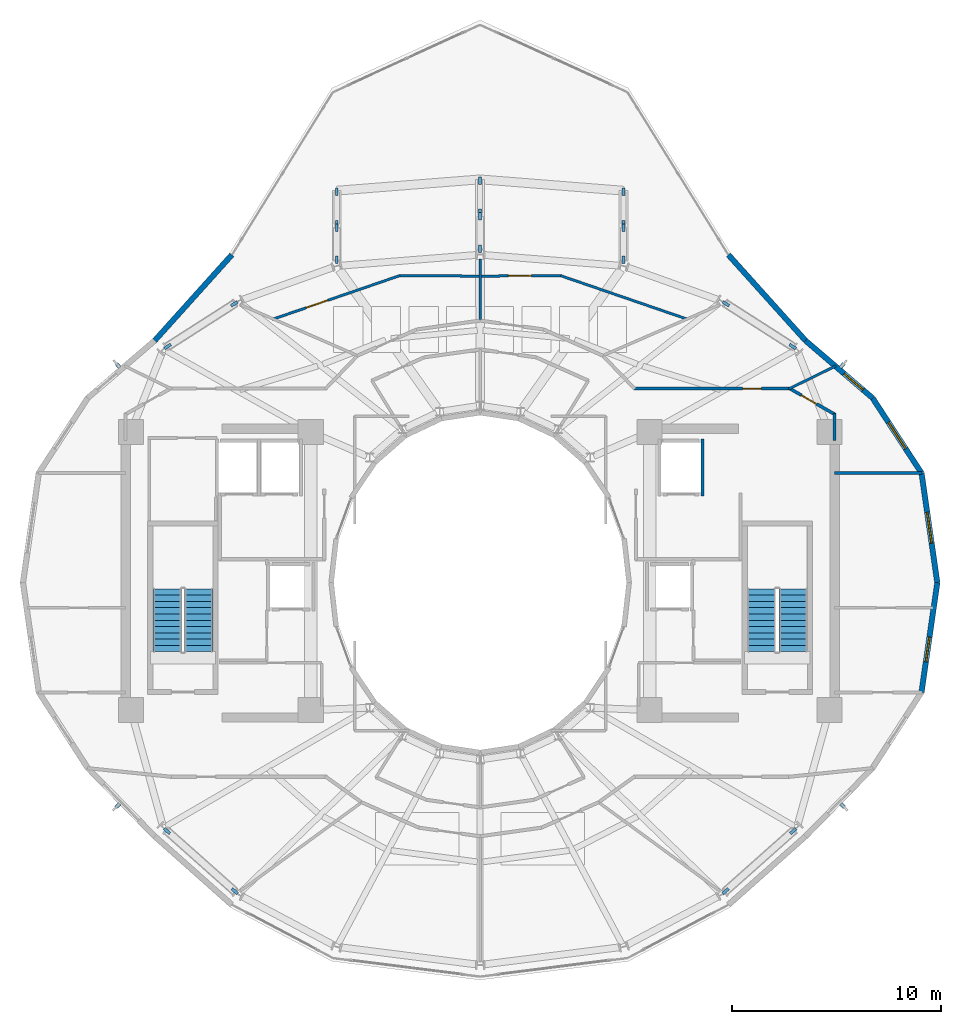
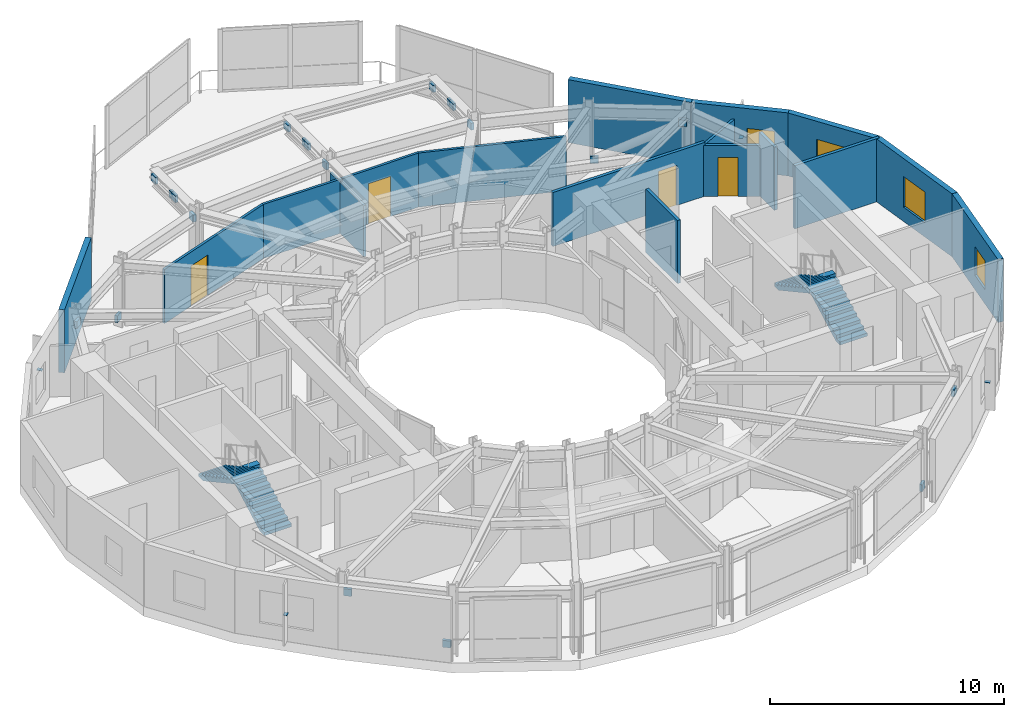
# One storey, part 21 of 25: 24 discrete accessories, 17 walls, 4 doors, 4 stair flights, 4 windows, 8 openings, 2 elements without a shape of their own.
"""IFC4 building model written with IfcOpenShell, lengths in metres."""

import ifcopenshell
import ifcopenshell.guid

model = None  # the IFC model being written
_history = None  # IfcOwnerHistory: only IFC2X3 demands one
_inside = {}  # id of a spatial element -> (the spatial element, [elements in it])
_under = {}  # id of a project, library or spatial element -> (it, [spatial elements below it])
_declared = {}  # id of a project -> (the project, [libraries it declares])
_typed = {}  # id of a type object -> (the type object, [elements of that type])
_made_of = {}  # id of a material, layer set ... -> (it, [elements and type objects made of it])


def new_model(schema):
    """Start an empty IFC model of exactly this schema.

    Asked for "IFC4X3", IfcOpenShell would pick the latest addendum, in which some entities
    have other attributes; the version numbers below select the first issue.
    IFC2X3 requires an IfcOwnerHistory on every rooted entity: one is made here for all.
    """
    global model, _history
    if schema == "IFC4X3":
        model = ifcopenshell.file(schema_version=(4, 3, 0, 0))
    else:
        model = ifcopenshell.file(schema=schema)
    _inside.clear()
    _under.clear()
    _declared.clear()
    _typed.clear()
    _made_of.clear()
    _history = None
    if model.schema == "IFC2X3":
        org = make("IfcOrganization", Name="unknown")
        user = make(
            "IfcPersonAndOrganization",
            ThePerson=make("IfcPerson", FamilyName="unknown"),
            TheOrganization=org,
        )
        app = make(
            "IfcApplication",
            ApplicationDeveloper=org,
            Version="unknown",
            ApplicationFullName="unknown",
            ApplicationIdentifier="unknown",
        )
        _history = make(
            "IfcOwnerHistory",
            OwningUser=user,
            OwningApplication=app,
            ChangeAction="ADDED",
            CreationDate=0,
        )
    return model


def make(cls, **values):
    """One entity of the class cls with the attributes given. An attribute that is None is left unset."""
    return model.create_entity(
        cls, **{name: value for name, value in values.items() if value is not None}
    )


def rooted(cls, **values):
    """An entity with a GlobalId (a new one), such as an element, a storey or a relation."""
    return make(cls, GlobalId=ifcopenshell.guid.new(), OwnerHistory=_history, **values)


def si_unit(unit_type, name, prefix=None):
    """IfcSIUnit, for example si_unit("LENGTHUNIT", "METRE", prefix="MILLI")."""
    return make("IfcSIUnit", UnitType=unit_type, Prefix=prefix, Name=name)


def assignment(units):
    """IfcUnitAssignment: the units of a project."""
    return None if units is None else make("IfcUnitAssignment", Units=units)


def point(xyz):
    """IfcCartesianPoint."""
    return None if xyz is None else make("IfcCartesianPoint", Coordinates=xyz)


def direction(xyz):
    """IfcDirection."""
    return None if xyz is None else make("IfcDirection", DirectionRatios=xyz)


def frame(location, z_axis=None, x_axis=None):
    """IfcAxis2Placement3D, a coordinate frame: its origin and axes. An axis left out is left unset."""
    return make(
        "IfcAxis2Placement3D",
        Location=point(location),
        Axis=direction(z_axis),
        RefDirection=direction(x_axis),
    )


def frame_2d(location, x_axis=None):
    """IfcAxis2Placement2D, a coordinate frame in the plane: its origin and x axis."""
    return make(
        "IfcAxis2Placement2D", Location=point(location), RefDirection=direction(x_axis)
    )


def origin():
    """The frame at (0, 0, 0) with its axes left unset."""
    return frame((0.0, 0.0, 0.0))


def origin_2d():
    """The frame at (0, 0) in the plane with its x axis left unset."""
    return frame_2d((0.0, 0.0))


def place(relative_to, where):
    """IfcLocalPlacement: puts the frame where relative to a parent placement (None: the world)."""
    return make(
        "IfcLocalPlacement", PlacementRelTo=relative_to, RelativePlacement=where
    )


def context(
    kind, dimensions, precision=None, world=None, true_north=None, identifier=None
):
    """IfcGeometricRepresentationContext, for example the 3D "Model" context."""
    return make(
        "IfcGeometricRepresentationContext",
        ContextIdentifier=identifier,
        ContextType=kind,
        CoordinateSpaceDimension=dimensions,
        Precision=precision,
        WorldCoordinateSystem=world,
        TrueNorth=true_north,
    )


def subcontext(parent, identifier, kind, view, scale=None):
    """IfcGeometricRepresentationSubContext, for example "Body" below "Model"."""
    return make(
        "IfcGeometricRepresentationSubContext",
        ContextIdentifier=identifier,
        ContextType=kind,
        ParentContext=parent,
        TargetScale=scale,
        TargetView=view,
    )


def project(units=None, contexts=None):
    """IfcProject with its units and contexts."""
    return rooted(
        "IfcProject",
        Name="project",
        RepresentationContexts=contexts,
        UnitsInContext=assignment(units),
    )


def spatial(cls, under=None, at=None, **own):
    """A site, building, storey or space (cls), placed at a placement, below another one or the project."""
    s = rooted(cls, ObjectPlacement=at, **own)
    if under is not None:
        _under.setdefault(under.id(), (under, []))[1].append(s)
    return s


def polyline(points):
    """IfcPolyline through the points."""
    return make("IfcPolyline", Points=[point(p) for p in points])


def profile(cls, at=None, kind="AREA", **sizes):
    """A parametric profile (cls). Its sizes go by their IFC names, for example OverallWidth=200.0."""
    return make(cls, ProfileType=kind, Position=at, **sizes)


def rectangle(**sizes):
    """IfcRectangleProfileDef."""
    return profile("IfcRectangleProfileDef", **sizes)


def outline(outer, holes=None, kind="AREA"):
    """IfcArbitraryClosedProfileDef: a profile drawn as a closed curve; with holes, ...WithVoids."""
    if holes is None:
        return make("IfcArbitraryClosedProfileDef", ProfileType=kind, OuterCurve=outer)
    return make(
        "IfcArbitraryProfileDefWithVoids",
        ProfileType=kind,
        OuterCurve=outer,
        InnerCurves=holes,
    )


def extrude(swept, where, along, depth):
    """IfcExtrudedAreaSolid: the profile swept, set in the frame where, extruded along a direction by depth."""
    return make(
        "IfcExtrudedAreaSolid",
        SweptArea=swept,
        Position=where,
        ExtrudedDirection=direction(along),
        Depth=depth,
    )


def shape(context_of_items, identifier, shape_type, items):
    """IfcShapeRepresentation: the items that make up one representation, for example the "Body"."""
    return make(
        "IfcShapeRepresentation",
        ContextOfItems=context_of_items,
        RepresentationIdentifier=identifier,
        RepresentationType=shape_type,
        Items=items,
    )


def material(Name=None, Category=None):
    """IfcMaterial."""
    return make("IfcMaterial", Name=Name, Category=Category)


def layer(
    of_material, thickness, ventilated=None, Name=None, Category=None, Priority=None
):
    """IfcMaterialLayer: one layer of a wall or slab, of a material (None: an air gap)."""
    return make(
        "IfcMaterialLayer",
        Material=of_material,
        LayerThickness=thickness,
        IsVentilated=ventilated,
        Name=Name,
        Category=Category,
        Priority=Priority,
    )


def layer_set(layers, Name=None):
    """IfcMaterialLayerSet."""
    return make("IfcMaterialLayerSet", MaterialLayers=layers, LayerSetName=Name)


def made_of(thing, what):
    """Note that an element or type object is made of a material, layer set ...; save() writes the relation."""
    if what is not None:
        _made_of.setdefault(what.id(), (what, []))[1].append(thing)
    return thing


def type_object(cls, material=None, **own):
    """A type object (cls), such as IfcWallType, which elements share."""
    return made_of(rooted(cls, **own), material)


def element(
    cls,
    number,
    at=None,
    inside=None,
    cuts=None,
    type_object=None,
    material=None,
    context=None,
    identifier="Body",
    shape_type=None,
    held_by="IfcProductDefinitionShape",
    body=None,
    shapes=None,
    **own,
):
    """One element of the class cls, such as IfcWall. Its Tag is "e" and its number.

    at: its placement. inside: the storey or other place that contains it. cuts: it is an
    opening in that element (IfcRelVoidsElement). A single representation is given by context,
    identifier, shape_type and body (its items); several are given by shapes. held_by: the class
    of the entity that holds the representations. save() writes the other relations.
    """
    e = rooted(cls, Tag="e%d" % number, ObjectPlacement=at, **own)
    if body is not None:
        shapes = [shape(context, identifier, shape_type, body)]
    if shapes is not None:
        e.Representation = make(held_by, Representations=shapes)
    if inside is not None:
        _inside.setdefault(inside.id(), (inside, []))[1].append(e)
    if cuts is not None:
        rooted(
            "IfcRelVoidsElement", RelatingBuildingElement=cuts, RelatedOpeningElement=e
        )
    if type_object is not None:
        _typed.setdefault(type_object.id(), (type_object, []))[1].append(e)
    return made_of(e, material)


def fill(opening, filler):
    """IfcRelFillsElement: the door or window that sits in an opening."""
    return rooted(
        "IfcRelFillsElement",
        RelatingOpeningElement=opening,
        RelatedBuildingElement=filler,
    )


def aggregate(whole, parts):
    """IfcRelAggregates: a whole, such as a stair, and the parts it consists of."""
    return rooted("IfcRelAggregates", RelatingObject=whole, RelatedObjects=parts)


def save(model, path):
    """Write the relations noted so far, then the file.

    IfcRelAggregates (storeys below a building ...), IfcRelContainedInSpatialStructure (elements
    in a storey), IfcRelDefinesByType, IfcRelAssociatesMaterial and IfcRelDeclares: one each for
    every whole, place, type object, material and project.
    """
    for whole, parts in _under.values():
        aggregate(whole, parts)
    for where, things in _inside.values():
        rooted(
            "IfcRelContainedInSpatialStructure",
            RelatedElements=things,
            RelatingStructure=where,
        )
    for kind, things in _typed.values():
        rooted("IfcRelDefinesByType", RelatedObjects=things, RelatingType=kind)
    for what, things in _made_of.values():
        rooted("IfcRelAssociatesMaterial", RelatedObjects=things, RelatingMaterial=what)
    for by, libraries in _declared.values():
        rooted("IfcRelDeclares", RelatingContext=by, RelatedDefinitions=libraries)
    model.write(path)


model = new_model("IFC4")

# Units and contexts
model_context = context("Model", 3, precision=1e-05, world=origin(), true_north=direction((0.0, 1.0)))
body_context = subcontext(model_context, "Body", "Model", "MODEL_VIEW")
ifc_project = project(units=[si_unit("LENGTHUNIT", "METRE"), si_unit("AREAUNIT", "SQUARE_METRE"), si_unit("VOLUMEUNIT", "CUBIC_METRE"), si_unit("PLANEANGLEUNIT", "RADIAN"), si_unit("MASSUNIT", "GRAM", prefix="KILO")], contexts=[model_context])

# Site, building, storey
site_placement = place(None, origin())
site = spatial("IfcSite", under=ifc_project, at=site_placement, CompositionType="ELEMENT")
building_placement = place(site_placement, origin())
building = spatial("IfcBuilding", under=site, at=building_placement, Name="Solvane Sanctuary Tower", CompositionType="ELEMENT")
storey_placement = place(building_placement, frame((0.0, 0.0, 238.800048828125)))
storey = spatial("IfcBuildingStorey", under=building, at=storey_placement, Name="L73", CompositionType="ELEMENT", Elevation=238.800048828125)

# Walls
ifc_material_1 = material(Name="Acoustic Gypsum Partition Board")
ifc_layer_1 = layer(ifc_material_1, 0.14990234375, Name="Acoustic Gypsum Partition Board")
ifc_layer_set_1 = layer_set([ifc_layer_1], Name="Acoustic Gypsum Partition Board")
wall_type_1 = type_object("IfcWallType", Name="Wall W-CORR-150", PredefinedType="PARTITIONING", material=ifc_layer_set_1)
wall_1_placement = place(storey_placement, frame((48.949951171875, 28.245361328125, 0.0), z_axis=(0.0, 0.0, 1.0), x_axis=(1.0, 0.0, 0.0)))
element("IfcWall", 1, at=wall_1_placement, inside=storey, type_object=wall_type_1, Name="L73 East Shoulder North Wall", PredefinedType="PARTITIONING", context=body_context, shape_type="SweptSolid", body=[
    extrude(rectangle(XDim=4.174560546875, YDim=0.14990234375, at=frame_2d((2.08740234375, 0.0))), origin(), (0.0, 0.0, 1.0), 3.294921875),
])
wall_2_placement = place(storey_placement, frame((48.949951171875, 29.800048828125, 0.0), z_axis=(0.0, 0.0, 1.0), x_axis=(0.0, 1.0, 0.0)))
element("IfcWall", 2, at=wall_2_placement, inside=storey, type_object=wall_type_1, Name="L73 NE Corner Closer 1", PredefinedType="PARTITIONING", context=body_context, shape_type="SweptSolid", body=[
    extrude(rectangle(XDim=1.2900390625, YDim=0.14990234375, at=frame_2d((0.64501953125, 0.0))), origin(), (0.0, 0.0, 1.0), 3.294921875),
])

# Wall, opening, door
wall_3_placement = place(storey_placement, frame((39.330078125, 32.280029296875, 0.0), z_axis=(0.0, 0.0, 1.0), x_axis=(1.0, 0.0, 0.0)))
wall_3 = element("IfcWall", 3, at=wall_3_placement, inside=storey, type_object=wall_type_1, Name="L73 NE Corner Corridor Wall", PredefinedType="PARTITIONING", context=body_context, shape_type="SweptSolid", body=[
    extrude(rectangle(XDim=7.52001953125, YDim=0.14990234375, at=frame_2d((3.760009765625, 0.0))), origin(), (0.0, 0.0, 1.0), 2.81591796875),
])
opening_1_placement = place(wall_3_placement, frame((5.219970703125, 0.0, 0.0)))
opening_1 = element("IfcOpeningElement", 4, at=opening_1_placement, cuts=wall_3, Name="Opening D-L73-18", PredefinedType="OPENING", context=body_context, shape_type="SweptSolid", body=[
    extrude(rectangle(XDim=0.89990234375, YDim=2.10009765625, at=frame_2d((0.449951171875, 1.050048828125))), frame((0.0, 0.0849609375, 0.0), z_axis=(0.0, -1.0, 0.0), x_axis=(1.0, 0.0, 0.0)), (0.0, 0.0, 1.0), 0.169921875),
])
ifc_material_2 = material(Name="Engineered Tropical Hardwood", Category="wood")
door_type_1 = type_object("IfcDoorType", Name="Door D-WET-900", OperationType="NOTDEFINED", PredefinedType="DOOR", material=ifc_material_2)
door_1_placement = place(opening_1_placement, origin())
door_1 = element("IfcDoor", 5, at=door_1_placement, inside=storey, type_object=door_type_1, Name="L73 NE Corner Salon Door", OperationType="SINGLE_SWING_RIGHT", OverallHeight=2.10009765625, OverallWidth=0.89990234375, PredefinedType="DOOR", context=body_context, shape_type="SweptSolid", body=[
    extrude(rectangle(XDim=0.89990234375, YDim=2.10009765625, at=frame_2d((0.449951171875, 1.050048828125))), frame((0.0, 0.02490234375, 0.0), z_axis=(0.0, -1.0, 0.0), x_axis=(1.0, 0.0, 0.0)), (0.0, 0.0, 1.0), 0.050048828125),
])
fill(opening_1, door_1)

wall_4_placement = place(storey_placement, frame((46.756591796875, 32.3046875, 0.0), z_axis=(0.0, 0.0, 1.0), x_axis=(0.867991349648, -0.496579315857, 0.0)))
wall_4 = element("IfcWall", 6, at=wall_4_placement, inside=storey, type_object=wall_type_1, Name="L73 NE Corner Wing Wall", PredefinedType="PARTITIONING", context=body_context, shape_type="SweptSolid", body=[
    extrude(rectangle(XDim=2.56689453125, YDim=0.14990234375, at=frame_2d((1.283447265625, 0.0))), origin(), (0.0, 0.0, 1.0), 2.659912109375),
])
opening_2_placement = place(wall_4_placement, frame((0.68798828125, 0.0, 0.0)))
opening_2 = element("IfcOpeningElement", 7, at=opening_2_placement, cuts=wall_4, Name="Opening D-L73-19", PredefinedType="OPENING", context=body_context, shape_type="SweptSolid", body=[
    extrude(rectangle(XDim=0.85009765625, YDim=2.050048828125, at=frame_2d((0.425048828125, 1.02490234375))), frame((0.0, 0.0849609375, 0.0), z_axis=(0.0, -1.0, 0.0), x_axis=(1.0, 0.0, 0.0)), (0.0, 0.0, 1.0), 0.169921875),
])
ifc_material_3 = material(Name="Architectural Stainless Steel 316", Category="steel")
door_type_2 = type_object("IfcDoorType", Name="Door D-RISER", OperationType="NOTDEFINED", PredefinedType="DOOR", material=ifc_material_3)
door_2_placement = place(opening_2_placement, origin())
door_2 = element("IfcDoor", 8, at=door_2_placement, inside=storey, type_object=door_type_2, Name="L73 NE Corner Suite Door", OperationType="SINGLE_SWING_LEFT", OverallHeight=2.050048828125, OverallWidth=0.85009765625, PredefinedType="DOOR", context=body_context, shape_type="SweptSolid", body=[
    extrude(rectangle(XDim=0.85009765625, YDim=2.050048828125, at=frame_2d((0.425048828125, 1.02490234375))), frame((0.0, 0.02490234375, 0.0), z_axis=(0.0, -1.0, 0.0), x_axis=(1.0, 0.0, 0.0)), (0.0, 0.0, 1.0), 0.050048828125),
])
fill(opening_2, door_2)

# Wall, opening, window
ifc_material_4 = material(Name="Precast concrete C40/50", Category="concrete")
ifc_layer_2 = layer(ifc_material_4, 0.260009765625, Name="Precast concrete C40/50")
ifc_layer_set_2 = layer_set([ifc_layer_2], Name="Precast concrete C40/50")
wall_type_2 = type_object("IfcWallType", Name="Wall W-EXT-250", PredefinedType="STANDARD", material=ifc_layer_set_2)
wall_5_placement = place(storey_placement, frame((53.860107421875, 23.0, 0.0), z_axis=(0.0, 0.0, 1.0), x_axis=(-0.142712754019, 0.989764148593, 0.0)))
wall_5 = element("IfcWall", 9, at=wall_5_placement, inside=storey, type_object=wall_type_2, Name="L73 Ceramic-Printed Facade Wall 00", PredefinedType="STANDARD", context=body_context, shape_type="SweptSolid", body=[
    extrude(rectangle(XDim=5.29296875, YDim=0.260009765625, at=frame_2d((2.646484375, 0.0))), origin(), (0.0, 0.0, 1.0), 3.2900390625),
])
opening_3_placement = place(wall_5_placement, frame((1.896484375, 0.0, 0.75)))
opening_3 = element("IfcOpeningElement", 10, at=opening_3_placement, cuts=wall_5, Name="Opening WN-OPER-1500", PredefinedType="OPENING", context=body_context, shape_type="SweptSolid", body=[
    extrude(rectangle(XDim=1.5, YDim=1.60009765625, at=frame_2d((0.75, 0.800048828125))), frame((0.0, 0.139892578125, 0.0), z_axis=(0.0, -1.0, 0.0), x_axis=(1.0, 0.0, 0.0)), (0.0, 0.0, 1.0), 0.280029296875),
])
ifc_material_5 = material(Name="Dark Ceramic-Fritted Low-E Glass", Category="glass")
window_type_1 = type_object("IfcWindowType", Name="Window WN-OPER-1500", PartitioningType="SINGLE_PANEL", PredefinedType="WINDOW", material=ifc_material_5)
window_1_placement = place(opening_3_placement, origin())
window_1 = element("IfcWindow", 11, at=window_1_placement, inside=storey, type_object=window_type_1, Name="L73 Operable Facade Window 00", OverallHeight=1.60009765625, OverallWidth=1.5, PartitioningType="SINGLE_PANEL", PredefinedType="WINDOW", context=body_context, shape_type="SweptSolid", body=[
    extrude(rectangle(XDim=1.5, YDim=1.60009765625, at=frame_2d((0.75, 0.800048828125))), frame((0.0, 0.030029296875, 0.0), z_axis=(0.0, -1.0, 0.0), x_axis=(1.0, 0.0, 0.0)), (0.0, 0.0, 1.0), 0.06005859375),
])
fill(opening_3, window_1)

wall_6_placement = place(storey_placement, frame((53.104736328125, 28.23876953125, 0.0), z_axis=(0.0, 0.0, 1.0), x_axis=(-0.546606419826, 0.837389647539, 0.0)))
wall_6 = element("IfcWall", 12, at=wall_6_placement, inside=storey, type_object=wall_type_2, Name="L73 Ceramic-Printed Facade Wall 01", PredefinedType="STANDARD", context=body_context, shape_type="SweptSolid", body=[
    extrude(rectangle(XDim=4.287841796875, YDim=0.260009765625, at=frame_2d((2.14404296875, 0.0))), origin(), (0.0, 0.0, 1.0), 3.2900390625),
])
opening_4_placement = place(wall_6_placement, frame((1.393798828125, 0.0, 0.75)))
opening_4 = element("IfcOpeningElement", 13, at=opening_4_placement, cuts=wall_6, Name="Opening WN-OPER-1500", PredefinedType="OPENING", context=body_context, shape_type="SweptSolid", body=[
    extrude(rectangle(XDim=1.5, YDim=1.60009765625, at=frame_2d((0.75, 0.800048828125))), frame((0.0, 0.139892578125, 0.0), z_axis=(0.0, -1.0, 0.0), x_axis=(1.0, 0.0, 0.0)), (0.0, 0.0, 1.0), 0.280029296875),
])
window_2_placement = place(opening_4_placement, origin())
window_2 = element("IfcWindow", 14, at=window_2_placement, inside=storey, type_object=window_type_1, Name="L73 Operable Facade Window 01", OverallHeight=1.60009765625, OverallWidth=1.5, PartitioningType="SINGLE_PANEL", PredefinedType="WINDOW", context=body_context, shape_type="SweptSolid", body=[
    extrude(rectangle(XDim=1.5, YDim=1.60009765625, at=frame_2d((0.75, 0.800048828125))), frame((0.0, 0.030029296875, 0.0), z_axis=(0.0, -1.0, 0.0), x_axis=(1.0, 0.0, 0.0)), (0.0, 0.0, 1.0), 0.06005859375),
])
fill(opening_4, window_2)

wall_7_placement = place(storey_placement, frame((50.760986328125, 31.829345703125, 0.0), z_axis=(0.0, 0.0, 1.0), x_axis=(-0.759587504333, 0.650405122413, 0.0)))
wall_7 = element("IfcWall", 15, at=wall_7_placement, inside=storey, type_object=wall_type_2, Name="L73 Ceramic-Printed Facade Wall 02", PredefinedType="STANDARD", context=body_context, shape_type="SweptSolid", body=[
    extrude(rectangle(XDim=4.21728515625, YDim=0.260009765625, at=frame_2d((2.108642578125, 0.0))), origin(), (0.0, 0.0, 1.0), 3.2900390625),
])
opening_5_placement = place(wall_7_placement, frame((0.593994140625, 0.0, 0.75)))
opening_5 = element("IfcOpeningElement", 16, at=opening_5_placement, cuts=wall_7, Name="Opening WN-OPER-1200", PredefinedType="OPENING", context=body_context, shape_type="SweptSolid", body=[
    extrude(rectangle(XDim=1.199951171875, YDim=1.5, at=frame_2d((0.60009765625, 0.75))), frame((0.0, 0.139892578125, 0.0), z_axis=(0.0, -1.0, 0.0), x_axis=(1.0, 0.0, 0.0)), (0.0, 0.0, 1.0), 0.280029296875),
])
window_type_2 = type_object("IfcWindowType", Name="Window WN-OPER-1200", PartitioningType="SINGLE_PANEL", PredefinedType="WINDOW", material=ifc_material_5)
window_3_placement = place(opening_5_placement, origin())
window_3 = element("IfcWindow", 17, at=window_3_placement, inside=storey, type_object=window_type_2, Name="L73 Operable Facade Window 02", OverallHeight=1.5, OverallWidth=1.199951171875, PartitioningType="SINGLE_PANEL", PredefinedType="WINDOW", context=body_context, shape_type="SweptSolid", body=[
    extrude(rectangle(XDim=1.199951171875, YDim=1.5, at=frame_2d((0.60009765625, 0.75))), frame((0.0, 0.030029296875, 0.0), z_axis=(0.0, -1.0, 0.0), x_axis=(1.0, 0.0, 0.0)), (0.0, 0.0, 1.0), 0.06005859375),
])
fill(opening_5, window_3)

# Walls
for number, where, z_axis, x_axis, name in (
    (18, (47.5576171875, 34.572265625, 0.0), (0.0, 0.0, 1.0), (-0.668903560134, 0.743349196031, 0.0), "L73 Ceramic-Printed Facade Wall 03"),
    (19, (20.1298828125, 38.670166015625, 0.0), (0.0, 0.0, 1.0), (-0.668903560134, -0.743349196031, 0.0), "L73 Ceramic-Printed Facade Wall 08"),
):
    element("IfcWall", number, at=place(storey_placement, frame(where, z_axis=z_axis, x_axis=x_axis)), inside=storey, type_object=wall_type_2, Name=name, PredefinedType="STANDARD", context=body_context, shape_type="SweptSolid", body=[
        extrude(rectangle(XDim=5.5126953125, YDim=0.260009765625, at=frame_2d((2.75634765625, 0.0))), origin(), (0.0, 0.0, 1.0), 3.2900390625),
    ])

# Wall, opening, window
wall_8_placement = place(storey_placement, frame((53.104736328125, 17.76123046875, 0.0), z_axis=(0.0, 0.0, 1.0), x_axis=(0.142712754019, 0.989764148593, 0.0)))
wall_8 = element("IfcWall", 20, at=wall_8_placement, inside=storey, type_object=wall_type_2, Name="L73 Ceramic-Printed Facade Wall 23", PredefinedType="STANDARD", context=body_context, shape_type="SweptSolid", body=[
    extrude(rectangle(XDim=5.29296875, YDim=0.260009765625, at=frame_2d((2.646484375, 0.0))), origin(), (0.0, 0.0, 1.0), 3.2900390625),
])
opening_6_placement = place(wall_8_placement, frame((1.46533203125, 0.0, 0.75)))
opening_6 = element("IfcOpeningElement", 21, at=opening_6_placement, cuts=wall_8, Name="Opening WN-OPER-1200", PredefinedType="OPENING", context=body_context, shape_type="SweptSolid", body=[
    extrude(rectangle(XDim=1.199951171875, YDim=1.5, at=frame_2d((0.60009765625, 0.75))), frame((0.0, 0.139892578125, 0.0), z_axis=(0.0, -1.0, 0.0), x_axis=(1.0, 0.0, 0.0)), (0.0, 0.0, 1.0), 0.280029296875),
])
window_4_placement = place(opening_6_placement, origin())
window_4 = element("IfcWindow", 22, at=window_4_placement, inside=storey, type_object=window_type_2, Name="L73 Operable Facade Window 23", OverallHeight=1.5, OverallWidth=1.199951171875, PartitioningType="SINGLE_PANEL", PredefinedType="WINDOW", context=body_context, shape_type="SweptSolid", body=[
    extrude(rectangle(XDim=1.199951171875, YDim=1.5, at=frame_2d((0.60009765625, 0.75))), frame((0.0, 0.030029296875, 0.0), z_axis=(0.0, -1.0, 0.0), x_axis=(1.0, 0.0, 0.0)), (0.0, 0.0, 1.0), 0.06005859375),
])
fill(opening_6, window_4)

# Walls
ifc_layer_3 = layer(ifc_material_1, 0.1201171875, Name="Acoustic Gypsum Partition Board")
ifc_layer_set_3 = layer_set([ifc_layer_3], Name="Acoustic Gypsum Partition Board")
wall_type_3 = type_object("IfcWallType", Name="Wall W-MOV-100", PredefinedType="MOVABLE", material=ifc_layer_set_3)
wall_9_placement = place(storey_placement, frame((46.755126953125, 32.258056640625, 0.0), z_axis=(0.0, 0.0, 1.0), x_axis=(0.898152129572, 0.439684832745, 0.0)))
element("IfcWall", 23, at=wall_9_placement, inside=storey, type_object=wall_type_3, Name="L73 NE Corner Suite Partition", PredefinedType="MOVABLE", context=body_context, shape_type="SweptSolid", body=[
    extrude(rectangle(XDim=2.5087890625, YDim=0.1201171875, at=frame_2d((1.25439453125, 0.0))), origin(), (0.0, 0.0, 1.0), 2.659912109375),
])
wall_10_placement = place(storey_placement, frame((32.0, 35.5849609375, 0.0), z_axis=(0.0, 0.0, 1.0), x_axis=(0.0, 1.0, 0.0)))
element("IfcWall", 24, at=wall_10_placement, inside=storey, type_object=wall_type_3, Name="L73 Sky Hall Radial Partition 090", PredefinedType="MOVABLE", context=body_context, shape_type="SweptSolid", body=[
    extrude(rectangle(XDim=2.89501953125, YDim=0.1201171875, at=frame_2d((1.447509765625, 0.0))), origin(), (0.0, 0.0, 1.0), 2.659912109375),
])
wall_11_placement = place(storey_placement, frame((41.935302734375, 35.585693359375, 0.0), z_axis=(0.0, 0.0, 1.0), x_axis=(-0.945789589552, 0.324780005995, 0.0)))
element("IfcWall", 25, at=wall_11_placement, inside=storey, type_object=wall_type_3, Name="L73 SDSPL-1 Partition", PredefinedType="MOVABLE", context=body_context, shape_type="SweptSolid", body=[
    extrude(rectangle(XDim=6.464599609375, YDim=0.1201171875, at=frame_2d((3.232421875, 0.0))), origin(), (0.0, 0.0, 1.0), 2.822998046875),
])

# Wall, opening, door
wall_12_placement = place(storey_placement, frame((35.840576171875, 37.68212890625, 0.0), z_axis=(0.0, 0.0, 1.0), x_axis=(-0.999971175398, -0.007592652624, 0.0)))
wall_12 = element("IfcWall", 26, at=wall_12_placement, inside=storey, type_object=wall_type_3, Name="L73 SDSPL-1 Partition", PredefinedType="MOVABLE", context=body_context, shape_type="SweptSolid", body=[
    extrude(rectangle(XDim=3.890625, YDim=0.1201171875, at=frame_2d((1.9453125, 0.0))), origin(), (0.0, 0.0, 1.0), 2.822998046875),
])
opening_7_placement = place(wall_12_placement, frame((1.395263671875, 0.0, 0.0)))
opening_7 = element("IfcOpeningElement", 27, at=opening_7_placement, cuts=wall_12, Name="Opening D-L73-28", PredefinedType="OPENING", context=body_context, shape_type="SweptSolid", body=[
    extrude(rectangle(XDim=1.10009765625, YDim=2.10009765625, at=frame_2d((0.550048828125, 1.050048828125))), frame((0.0, 0.070068359375, 0.0), z_axis=(0.0, -1.0, 0.0), x_axis=(1.0, 0.0, 0.0)), (0.0, 0.0, 1.0), 0.14013671875),
])
door_type_3 = type_object("IfcDoorType", Name="Door D-FFL", OperationType="NOTDEFINED", PredefinedType="DOOR", material=ifc_material_3)
door_3_placement = place(opening_7_placement, origin())
door_3 = element("IfcDoor", 28, at=door_3_placement, inside=storey, type_object=door_type_3, Name="L73 SDSPL-1 Door", OperationType="SINGLE_SWING_RIGHT", OverallHeight=2.10009765625, OverallWidth=1.10009765625, PredefinedType="DOOR", context=body_context, shape_type="SweptSolid", body=[
    extrude(rectangle(XDim=1.10009765625, YDim=2.10009765625, at=frame_2d((0.550048828125, 1.050048828125))), frame((0.0, 0.02490234375, 0.0), z_axis=(0.0, -1.0, 0.0), x_axis=(1.0, 0.0, 0.0)), (0.0, 0.0, 1.0), 0.050048828125),
])
fill(opening_7, door_3)

# Wall
wall_13_placement = place(storey_placement, frame((32.050048828125, 37.652587890625, 0.0), z_axis=(0.0, 0.0, 1.0), x_axis=(-0.999971175398, 0.007592652624, 0.0)))
element("IfcWall", 29, at=wall_13_placement, inside=storey, type_object=wall_type_3, Name="L73 SDSPL-2 Partition", PredefinedType="MOVABLE", context=body_context, shape_type="SweptSolid", body=[
    extrude(rectangle(XDim=3.890625, YDim=0.1201171875, at=frame_2d((1.9453125, 0.0))), origin(), (0.0, 0.0, 1.0), 2.822998046875),
])

# Wall, opening, door
wall_14_placement = place(storey_placement, frame((28.178955078125, 37.685302734375, 0.0), z_axis=(0.0, 0.0, 1.0), x_axis=(-0.945789589552, -0.324780005995, 0.0)))
wall_14 = element("IfcWall", 30, at=wall_14_placement, inside=storey, type_object=wall_type_3, Name="L73 SDSPL-2 Partition", PredefinedType="MOVABLE", context=body_context, shape_type="SweptSolid", body=[
    extrude(rectangle(XDim=6.464599609375, YDim=0.1201171875, at=frame_2d((3.232421875, 0.0))), origin(), (0.0, 0.0, 1.0), 2.822998046875),
])
opening_8_placement = place(wall_14_placement, frame((3.654296875, 0.0, 0.0)))
opening_8 = element("IfcOpeningElement", 31, at=opening_8_placement, cuts=wall_14, Name="Opening D-L73-29", PredefinedType="OPENING", context=body_context, shape_type="SweptSolid", body=[
    extrude(rectangle(XDim=1.10009765625, YDim=2.10009765625, at=frame_2d((0.550048828125, 1.050048828125))), frame((0.0, 0.070068359375, 0.0), z_axis=(0.0, -1.0, 0.0), x_axis=(1.0, 0.0, 0.0)), (0.0, 0.0, 1.0), 0.14013671875),
])
door_4_placement = place(opening_8_placement, origin())
door_4 = element("IfcDoor", 32, at=door_4_placement, inside=storey, type_object=door_type_3, Name="L73 SDSPL-2 Door", OperationType="SINGLE_SWING_LEFT", OverallHeight=2.10009765625, OverallWidth=1.10009765625, PredefinedType="DOOR", context=body_context, shape_type="SweptSolid", body=[
    extrude(rectangle(XDim=1.10009765625, YDim=2.10009765625, at=frame_2d((0.550048828125, 1.050048828125))), frame((0.0, 0.02490234375, 0.0), z_axis=(0.0, -1.0, 0.0), x_axis=(1.0, 0.0, 0.0)), (0.0, 0.0, 1.0), 0.050048828125),
])
fill(opening_8, door_4)

# Wall
ifc_material_6 = material(Name="Concrete C50/60", Category="concrete")
ifc_layer_4 = layer(ifc_material_6, 0.14990234375, Name="Concrete C50/60")
ifc_layer_set_4 = layer_set([ifc_layer_4], Name="Concrete C50/60")
wall_type_4 = type_object("IfcWallType", Name="Wall W-SHAFT-150", PredefinedType="SOLIDWALL", material=ifc_layer_set_4)
wall_15_placement = place(storey_placement, frame((42.6298828125, 27.139892578125, 0.0), z_axis=(0.0, 0.0, 1.0), x_axis=(0.0, 1.0, 0.0)))
element("IfcWall", 33, at=wall_15_placement, inside=storey, type_object=wall_type_4, Name="L73 FFL-2 Lift Shaft Wall S2", PredefinedType="SOLIDWALL", context=body_context, shape_type="SweptSolid", body=[
    extrude(rectangle(XDim=2.72021484375, YDim=0.14990234375, at=frame_2d((1.360107421875, 0.0))), origin(), (0.0, 0.0, 1.0), 3.294921875),
])

# Stair, stair flights
ifc_material_7 = material(Name="Concrete C45/55", Category="concrete")
stair_type = type_object("IfcStairType", Name="Stair ST-TOW", PredefinedType="HALF_TURN_STAIR", material=ifc_material_7)
stair_1_placement = place(storey_placement, origin())
stair_1 = element("IfcStair", 34, at=stair_1_placement, inside=storey, type_object=stair_type, Name="L73 Exit Stair ST-1 West Core", PredefinedType="HALF_TURN_STAIR")
stair_flight_type = type_object("IfcStairFlightType", Name="StairFlight SF-TOW", PredefinedType="STRAIGHT", material=ifc_material_7)
stair_flight_1_placement = place(storey_placement, frame((18.544921875, 19.699951171875, 0.0), z_axis=(0.0, 0.0, 1.0), x_axis=(0.0, 1.0, 0.0)))
stair_flight_1 = element("IfcStairFlight", 35, at=stair_flight_1_placement, type_object=stair_flight_type, Name="ST-1 flight 1", NumberOfRisers=11, NumberOfTreads=10, PredefinedType="STRAIGHT", RiserHeight=0.163636364, TreadLength=0.3, context=body_context, shape_type="SweptSolid", body=[
    extrude(outline(polyline([(0.0, 0.0), (0.0, 0.16357421875), (0.300048828125, 0.16357421875), (0.300048828125, 0.327392578125), (0.60009765625, 0.327392578125), (0.60009765625, 0.490966796875), (0.89990234375, 0.490966796875), (0.89990234375, 0.654541015625), (1.199951171875, 0.654541015625), (1.199951171875, 0.818115234375), (1.5, 0.818115234375), (1.5, 0.98193359375), (1.800048828125, 0.98193359375), (1.800048828125, 1.1455078125), (2.10009765625, 1.1455078125), (2.10009765625, 1.30908203125), (2.39990234375, 1.30908203125), (2.39990234375, 1.47265625), (2.699951171875, 1.47265625), (2.699951171875, 1.636474609375), (3.0, 1.636474609375), (3.0, 1.800048828125), (3.0, 1.431396484375), (0.375732421875, 0.0), (0.0, 0.0)])), frame((0.0, 0.675048828125, 0.0), z_axis=(0.0, -1.0, 0.0), x_axis=(1.0, 0.0, 0.0)), (0.0, 0.0, 1.0), 1.35009765625),
])
stair_flight_2_placement = place(storey_placement, frame((17.034912109375, 22.699951171875, 1.800048828125), z_axis=(0.0, 0.0, 1.0), x_axis=(0.0, -1.0, 0.0)))
stair_flight_2 = element("IfcStairFlight", 36, at=stair_flight_2_placement, type_object=stair_flight_type, Name="ST-1 flight 2", NumberOfRisers=11, NumberOfTreads=10, PredefinedType="STRAIGHT", RiserHeight=0.163636364, TreadLength=0.3, context=body_context, shape_type="SweptSolid", body=[
    extrude(outline(polyline([(0.0, 0.0), (0.0, 0.16357421875), (0.300048828125, 0.16357421875), (0.300048828125, 0.327392578125), (0.60009765625, 0.327392578125), (0.60009765625, 0.490966796875), (0.89990234375, 0.490966796875), (0.89990234375, 0.654541015625), (1.199951171875, 0.654541015625), (1.199951171875, 0.818115234375), (1.5, 0.818115234375), (1.5, 0.98193359375), (1.800048828125, 0.98193359375), (1.800048828125, 1.1455078125), (2.10009765625, 1.1455078125), (2.10009765625, 1.30908203125), (2.39990234375, 1.30908203125), (2.39990234375, 1.47265625), (2.699951171875, 1.47265625), (2.699951171875, 1.636474609375), (3.0, 1.636474609375), (3.0, 1.800048828125), (3.0, 1.431396484375), (0.375732421875, 0.0), (0.0, 0.0)])), frame((0.0, 0.675048828125, 0.0), z_axis=(0.0, -1.0, 0.0), x_axis=(1.0, 0.0, 0.0)), (0.0, 0.0, 1.0), 1.35009765625),
])
aggregate(stair_1, [stair_flight_1, stair_flight_2])

stair_2_placement = place(storey_placement, origin())
stair_2 = element("IfcStair", 37, at=stair_2_placement, inside=storey, type_object=stair_type, Name="L73 Exit Stair ST-2 East Core", PredefinedType="HALF_TURN_STAIR")
stair_flight_3_placement = place(storey_placement, frame((46.965087890625, 19.699951171875, 0.0), z_axis=(0.0, 0.0, 1.0), x_axis=(0.0, 1.0, 0.0)))
stair_flight_3 = element("IfcStairFlight", 38, at=stair_flight_3_placement, type_object=stair_flight_type, Name="ST-2 flight 1", NumberOfRisers=11, NumberOfTreads=10, PredefinedType="STRAIGHT", RiserHeight=0.163636364, TreadLength=0.3, context=body_context, shape_type="SweptSolid", body=[
    extrude(outline(polyline([(0.0, 0.0), (0.0, 0.16357421875), (0.300048828125, 0.16357421875), (0.300048828125, 0.327392578125), (0.60009765625, 0.327392578125), (0.60009765625, 0.490966796875), (0.89990234375, 0.490966796875), (0.89990234375, 0.654541015625), (1.199951171875, 0.654541015625), (1.199951171875, 0.818115234375), (1.5, 0.818115234375), (1.5, 0.98193359375), (1.800048828125, 0.98193359375), (1.800048828125, 1.1455078125), (2.10009765625, 1.1455078125), (2.10009765625, 1.30908203125), (2.39990234375, 1.30908203125), (2.39990234375, 1.47265625), (2.699951171875, 1.47265625), (2.699951171875, 1.636474609375), (3.0, 1.636474609375), (3.0, 1.800048828125), (3.0, 1.431396484375), (0.375732421875, 0.0), (0.0, 0.0)])), frame((0.0, 0.675048828125, 0.0), z_axis=(0.0, -1.0, 0.0), x_axis=(1.0, 0.0, 0.0)), (0.0, 0.0, 1.0), 1.35009765625),
])
stair_flight_4_placement = place(storey_placement, frame((45.455078125, 22.699951171875, 1.800048828125), z_axis=(0.0, 0.0, 1.0), x_axis=(0.0, -1.0, 0.0)))
stair_flight_4 = element("IfcStairFlight", 39, at=stair_flight_4_placement, type_object=stair_flight_type, Name="ST-2 flight 2", NumberOfRisers=11, NumberOfTreads=10, PredefinedType="STRAIGHT", RiserHeight=0.163636364, TreadLength=0.3, context=body_context, shape_type="SweptSolid", body=[
    extrude(outline(polyline([(0.0, 0.0), (0.0, 0.16357421875), (0.300048828125, 0.16357421875), (0.300048828125, 0.327392578125), (0.60009765625, 0.327392578125), (0.60009765625, 0.490966796875), (0.89990234375, 0.490966796875), (0.89990234375, 0.654541015625), (1.199951171875, 0.654541015625), (1.199951171875, 0.818115234375), (1.5, 0.818115234375), (1.5, 0.98193359375), (1.800048828125, 0.98193359375), (1.800048828125, 1.1455078125), (2.10009765625, 1.1455078125), (2.10009765625, 1.30908203125), (2.39990234375, 1.30908203125), (2.39990234375, 1.47265625), (2.699951171875, 1.47265625), (2.699951171875, 1.636474609375), (3.0, 1.636474609375), (3.0, 1.800048828125), (3.0, 1.431396484375), (0.375732421875, 0.0), (0.0, 0.0)])), frame((0.0, 0.675048828125, 0.0), z_axis=(0.0, -1.0, 0.0), x_axis=(1.0, 0.0, 0.0)), (0.0, 0.0, 1.0), 1.35009765625),
])
aggregate(stair_2, [stair_flight_3, stair_flight_4])

# Discrete accessories
ifc_material_8 = material(Name="Steel ASTM A572 Grade 50", Category="steel")
ifc_layer_5 = layer(ifc_material_8, 0.360107421875, Name="Steel ASTM A572 Grade 50")
ifc_layer_set_5 = layer_set([ifc_layer_5], Name="Steel ASTM A572 Grade 50")
discrete_accessory_type_1 = type_object("IfcDiscreteAccessoryType", Name="Accessory ACC-GUSSET-BRK", PredefinedType="BRACKET", material=ifc_layer_set_5)
for number, where, z_axis, x_axis, name in (
    (40, (43.7548828125, 36.329345703125, 0.32861328125), (0.0, 0.0, 1.0), (0.842264279204, -0.539064823539, 0.0), "L73 Perimeter Braced-Tube Diagonal NE End Gusset Bracket A"),
    (41, (46.940673828125, 34.2900390625, 2.37841796875), (0.0, 0.0, 1.0), (0.842264279204, -0.539064823539, 0.0), "L73 Perimeter Braced-Tube Diagonal NE End Gusset Bracket B"),
    (42, (20.2451171875, 36.329345703125, 0.32861328125), (0.0, 0.0, 1.0), (-0.842264279204, -0.539064823539, 0.0), "L73 Perimeter Braced-Tube Diagonal NW End Gusset Bracket A"),
    (43, (17.059326171875, 34.2900390625, 2.37841796875), (0.0, 0.0, 1.0), (-0.842264279204, -0.539064823539, 0.0), "L73 Perimeter Braced-Tube Diagonal NW End Gusset Bracket B"),
    (44, (20.26416015625, 8.2470703125, 0.31640625), (0.0, 0.0, 1.0), (-0.747218420912, 0.664578536706, 0.0), "L73 Perimeter Braced-Tube Diagonal SW End Gusset Bracket A"),
    (45, (17.032470703125, 11.121337890625, 2.39599609375), (0.0, 0.0, 1.0), (-0.747218420912, 0.664578536706, 0.0), "L73 Perimeter Braced-Tube Diagonal SW End Gusset Bracket B"),
    (46, (43.73583984375, 8.2470703125, 0.31640625), (0.0, 0.0, 1.0), (0.747218420912, 0.664578536706, 0.0), "L73 Perimeter Braced-Tube Diagonal SE End Gusset Bracket A"),
    (47, (46.967529296875, 11.121337890625, 2.39599609375), (0.0, 0.0, 1.0), (0.747218420912, 0.664578536706, 0.0), "L73 Perimeter Braced-Tube Diagonal SE End Gusset Bracket B"),
    (48, (25.143798828125, 38.4267578125, 2.58837890625), (0.0, 0.0, 1.0), (0.0, 1.0, 0.0), "L73 Sky-Dining Truss Diagonal C05-P1 End Gusset Bracket A"),
    (49, (25.143798828125, 39.967529296875, 2.6689453125), (0.0, 0.0, 1.0), (0.0, 1.0, 0.0), "L73 Sky-Dining Truss Diagonal C05-P1 End Gusset Bracket B"),
    (50, (25.143798828125, 40.137451171875, 2.6689453125), (0.0, 0.0, 1.0), (0.0, 1.0, 0.0), "L73 Sky-Dining Truss Web Post C05-P1 End Gusset Bracket A"),
    (51, (25.143798828125, 41.67822265625, 2.58837890625), (0.0, 0.0, 1.0), (0.0, 1.0, 0.0), "L73 Sky-Dining Truss Web Post C05-P1 End Gusset Bracket B"),
    (52, (32.0, 38.9609375, 2.58837890625), (0.0, 0.0, 1.0), (0.0, 1.0, 0.0), "L73 Sky-Dining Truss Diagonal C04-P1 End Gusset Bracket A"),
    (53, (32.0, 40.505615234375, 2.6689453125), (0.0, 0.0, 1.0), (0.0, 1.0, 0.0), "L73 Sky-Dining Truss Diagonal C04-P1 End Gusset Bracket B"),
    (54, (32.0, 40.67529296875, 2.6689453125), (0.0, 0.0, 1.0), (0.0, 1.0, 0.0), "L73 Sky-Dining Truss Web Post C04-P1 End Gusset Bracket A"),
    (55, (32.0, 42.219970703125, 2.58837890625), (0.0, 0.0, 1.0), (0.0, 1.0, 0.0), "L73 Sky-Dining Truss Web Post C04-P1 End Gusset Bracket B"),
    (56, (38.856201171875, 38.4267578125, 2.58837890625), (0.0, 0.0, 1.0), (0.0, 1.0, 0.0), "L73 Sky-Dining Truss Diagonal C03-P1 End Gusset Bracket A"),
    (57, (38.856201171875, 39.967529296875, 2.6689453125), (0.0, 0.0, 1.0), (0.0, 1.0, 0.0), "L73 Sky-Dining Truss Diagonal C03-P1 End Gusset Bracket B"),
    (58, (38.856201171875, 40.137451171875, 2.6689453125), (0.0, 0.0, 1.0), (0.0, 1.0, 0.0), "L73 Sky-Dining Truss Web Post C03-P1 End Gusset Bracket A"),
    (59, (38.856201171875, 41.67822265625, 2.58837890625), (0.0, 0.0, 1.0), (0.0, 1.0, 0.0), "L73 Sky-Dining Truss Web Post C03-P1 End Gusset Bracket B"),
):
    element("IfcDiscreteAccessory", number, at=place(storey_placement, frame(where, z_axis=z_axis, x_axis=x_axis)), inside=storey, type_object=discrete_accessory_type_1, Name=name, PredefinedType="BRACKET", context=body_context, shape_type="SweptSolid", body=[
        extrude(rectangle(XDim=0.360107421875, YDim=0.139892578125, at=origin_2d()), origin(), (0.0, 0.0, 1.0), 0.360107421875),
    ])
ifc_material_9 = material(Name="Steel ASTM A500 Grade C", Category="steel")
ifc_layer_6 = layer(ifc_material_9, 0.02490234375, Name="Steel ASTM A500 Grade C")
ifc_layer_set_6 = layer_set([ifc_layer_6], Name="Steel ASTM A500 Grade C")
discrete_accessory_type_2 = type_object("IfcDiscreteAccessoryType", Name="Accessory BRK-FACADE", PredefinedType="BRACKET", material=ifc_layer_set_6)
for number, where, z_axis, x_axis, name in (
    (60, (49.3154296875, 33.383056640625, 1.487548828125), (0.0, 0.0, 1.0), (-0.759573352363, 0.650421649686, 0.0), "L73 Solar Fin Bracket 02"),
    (61, (14.6845703125, 33.383056640625, 1.487548828125), (0.0, 0.0, 1.0), (-0.759573352363, -0.650421649686, 0.0), "L73 Solar Fin Bracket 09"),
    (62, (14.66943359375, 12.333984375, 1.487548828125), (0.0, 0.0, 1.0), (0.700625381445, -0.713529309051, 0.0), "L73 Solar Fin Bracket 14"),
    (63, (49.33056640625, 12.333984375, 1.487548828125), (0.0, 0.0, 1.0), (0.700625381445, 0.713529309051, 0.0), "L73 Solar Fin Bracket 21"),
):
    element("IfcDiscreteAccessory", number, at=place(storey_placement, frame(where, z_axis=z_axis, x_axis=x_axis)), inside=storey, type_object=discrete_accessory_type_2, Name=name, PredefinedType="BRACKET", context=body_context, shape_type="SweptSolid", body=[
        extrude(rectangle(XDim=0.179931640625, YDim=0.239990234375, at=origin_2d()), origin(), (0.0, 0.0, 1.0), 0.02490234375),
    ])

save(model, "model.ifc")
